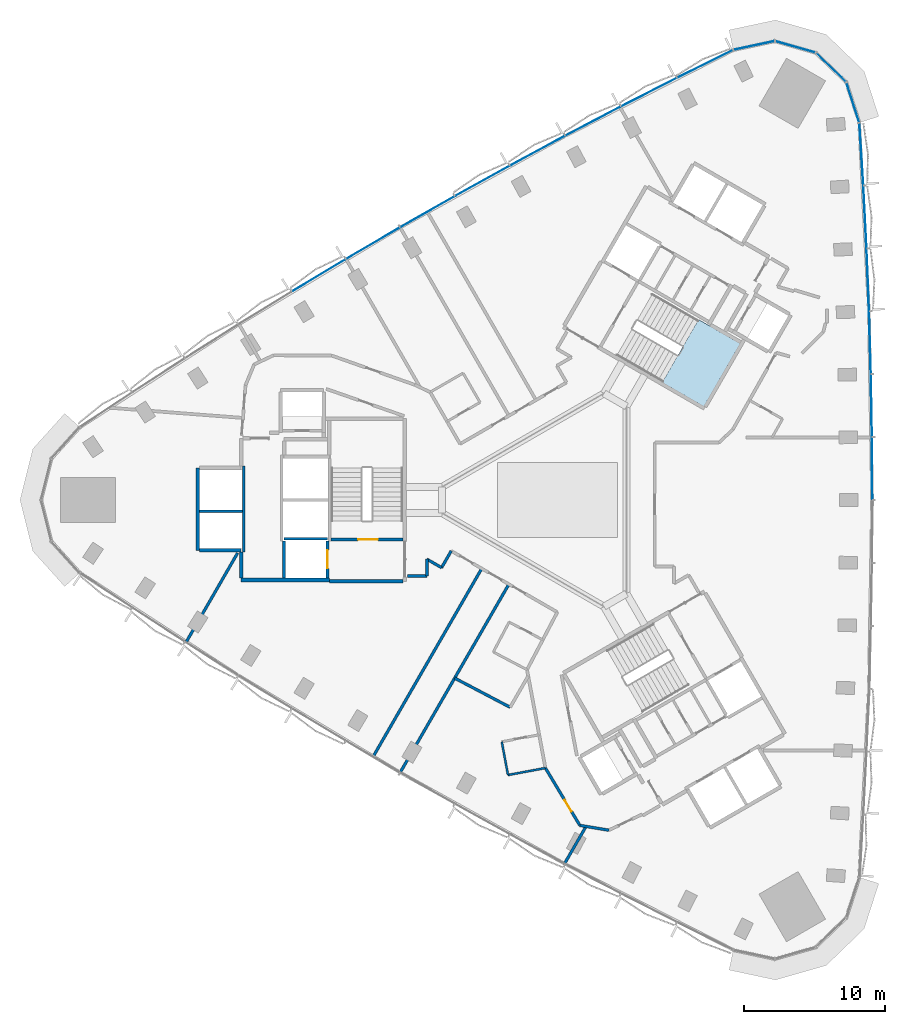
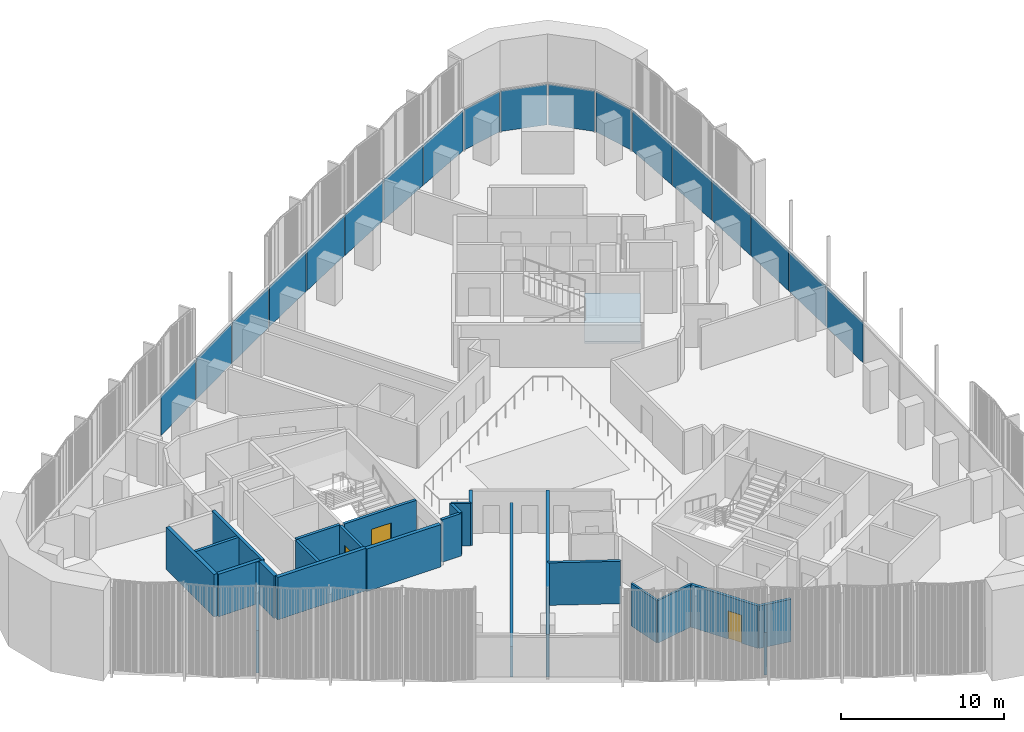
# One storey, part 7 of 15: 24 walls, 18 plates, 3 doors, 1 slab, 3 openings, 3 elements without a shape of their own.
"""IFC4 building model written with IfcOpenShell, lengths in metres."""

from ifc_helpers import new_model, si_unit, direction, frame, frame_2d, origin, origin_2d, place, context, subcontext, project, spatial, polyline, rectangle, outline, extrude, material, layer, layer_set, type_object, element, fill, aggregate, save


model = new_model("IFC4")

# Units and contexts
model_context = context("Model", 3, precision=1e-05, world=origin(), true_north=direction((0.0, 1.0)))
body_context = subcontext(model_context, "Body", "Model", "MODEL_VIEW")
ifc_project = project(units=[si_unit("LENGTHUNIT", "METRE"), si_unit("AREAUNIT", "SQUARE_METRE"), si_unit("VOLUMEUNIT", "CUBIC_METRE"), si_unit("PLANEANGLEUNIT", "RADIAN"), si_unit("MASSUNIT", "GRAM", prefix="KILO")], contexts=[model_context])

# Site, building, storey
site_placement = place(None, origin())
site = spatial("IfcSite", under=ifc_project, at=site_placement, CompositionType="ELEMENT")
building_placement = place(site_placement, origin())
building = spatial("IfcBuilding", under=site, at=building_placement, Name="Tamra Quay Hotel Tower", CompositionType="ELEMENT")
storey_placement = place(building_placement, frame((0.0, 0.0, 79.39990234375)))
storey = spatial("IfcBuildingStorey", under=building, at=storey_placement, Name="L18", CompositionType="ELEMENT", Elevation=79.39990234375)

# Stair, slab
ifc_material_1 = material(Name="Exit stair 2200 24 risers 150.0 going 342")
stair_type = type_object("IfcStairType", Name="Exit stair 2200 24 risers 150.0 going 342", PredefinedType="HALF_TURN_STAIR", material=ifc_material_1)
stair_placement = place(storey_placement, origin())
stair = element("IfcStair", 1, at=stair_placement, inside=storey, type_object=stair_type, Name="L18 Exit stair ST1", PredefinedType="HALF_TURN_STAIR")
ifc_material_2 = material(Name="Concrete M70", Category="concrete")
ifc_layer_1 = layer(ifc_material_2, 0.175048828125)
ifc_layer_set_1 = layer_set([ifc_layer_1], Name="Concrete M70 stair landing 180")
slab_type = type_object("IfcSlabType", Name="Concrete M70 stair landing 180", PredefinedType="LANDING", material=ifc_layer_set_1)
slab_placement = place(storey_placement, frame((0.0, 0.0, 1.625)))
slab = element("IfcSlab", 2, at=slab_placement, type_object=slab_type, Name="ST1 landing 1", PredefinedType="LANDING", context=body_context, shape_type="SweptSolid", body=[
    extrude(outline(polyline([(7.425048828125, 8.336669921875), (10.385009765625, 6.627685546875), (12.964599609375, 11.095458984375), (10.00439453125, 12.804443359375), (7.425048828125, 8.336669921875)])), origin(), (0.0, 0.0, 1.0), 0.175048828125),
])
aggregate(stair, [slab])

# Curtain wall, plates
ifc_material_3 = material(Name="Aluminium 6063 anodised dark grey", Category="aluminium")
curtain_wall_type_1 = type_object("IfcCurtainWallType", Name="CW1 CURTAIN WALL", PredefinedType="NOTDEFINED", material=ifc_material_3)
curtain_wall_1_placement = place(storey_placement, origin())
curtain_wall_1 = element("IfcCurtainWall", 3, at=curtain_wall_1_placement, inside=storey, type_object=curtain_wall_type_1, Name="CW1 east face L18", PredefinedType="NOTDEFINED")
ifc_material_4 = material(Name="Glass clear laminated low-iron", Category="glass")
ifc_layer_2 = layer(ifc_material_4, 0.033935546875)
ifc_layer_set_2 = layer_set([ifc_layer_2], Name="GLASS PANEL CW1 Z2")
plate_type_1 = type_object("IfcPlateType", Name="GLASS PANEL CW1 Z2", PredefinedType="CURTAIN_PANEL", material=ifc_layer_set_2)
plate_1_placement = place(storey_placement, frame((22.3203125, 2.23193359375, 0.0), z_axis=(0.0, 0.0, 1.0), x_axis=(-0.005712677225, 0.999983682526, 0.0)))
plate_1 = element("IfcPlate", 4, at=plate_1_placement, type_object=plate_type_1, Name="CW1 glass L18.E.7", PredefinedType="CURTAIN_PANEL", context=body_context, shape_type="SweptSolid", body=[
    extrude(rectangle(XDim=4.364013671875, YDim=0.033935546875, at=origin_2d()), origin(), (0.0, 0.0, 1.0), 3.034912109375),
])
plate_2_placement = place(storey_placement, frame((22.269287109375, 6.695556640625, 0.0), z_axis=(0.0, 0.0, 1.0), x_axis=(-0.017133900698, 0.999853203949, 0.0)))
plate_2 = element("IfcPlate", 5, at=plate_2_placement, type_object=plate_type_1, Name="CW1 glass L18.E.8", PredefinedType="CURTAIN_PANEL", context=body_context, shape_type="SweptSolid", body=[
    extrude(rectangle(XDim=4.364013671875, YDim=0.033935546875, at=origin_2d()), origin(), (0.0, 0.0, 1.0), 3.034912109375),
])
plate_3_placement = place(storey_placement, frame((22.167236328125, 11.158203125, 0.0), z_axis=(0.0, 0.0, 1.0), x_axis=(-0.028546238865, 0.999592473084, 0.0)))
plate_3 = element("IfcPlate", 6, at=plate_3_placement, type_object=plate_type_1, Name="CW1 glass L18.E.9", PredefinedType="CURTAIN_PANEL", context=body_context, shape_type="SweptSolid", body=[
    extrude(rectangle(XDim=4.364013671875, YDim=0.033935546875, at=origin_2d()), origin(), (0.0, 0.0, 1.0), 3.034912109375),
])
plate_4_placement = place(storey_placement, frame((22.014404296875, 15.61962890625, 0.0), z_axis=(0.0, 0.0, 1.0), x_axis=(-0.039943755239, 0.999201929751, 0.0)))
plate_4 = element("IfcPlate", 7, at=plate_4_placement, type_object=plate_type_1, Name="CW1 glass L18.E.10", PredefinedType="CURTAIN_PANEL", context=body_context, shape_type="SweptSolid", body=[
    extrude(rectangle(XDim=4.364013671875, YDim=0.033935546875, at=origin_2d()), origin(), (0.0, 0.0, 1.0), 3.034912109375),
])
plate_5_placement = place(storey_placement, frame((21.810791015625, 20.078857421875, 0.0), z_axis=(0.0, 0.0, 1.0), x_axis=(-0.051320550821, 0.998682232276, 0.0)))
plate_5 = element("IfcPlate", 8, at=plate_5_placement, type_object=plate_type_1, Name="CW1 glass L18.E.11", PredefinedType="CURTAIN_PANEL", context=body_context, shape_type="SweptSolid", body=[
    extrude(rectangle(XDim=4.364013671875, YDim=0.033935546875, at=origin_2d()), origin(), (0.0, 0.0, 1.0), 3.034912109375),
])
plate_6_placement = place(storey_placement, frame((21.556396484375, 24.53515625, 0.0), z_axis=(0.0, 0.0, 1.0), x_axis=(-0.062670105733, 0.998034296929, 0.0)))
plate_6 = element("IfcPlate", 9, at=plate_6_placement, type_object=plate_type_1, Name="CW1 glass L18.E.12", PredefinedType="CURTAIN_PANEL", context=body_context, shape_type="SweptSolid", body=[
    extrude(rectangle(XDim=4.363525390625, YDim=0.033935546875, at=origin_2d()), origin(), (0.0, 0.0, 1.0), 3.034912109375),
])
plate_7_placement = place(storey_placement, frame((20.9521484375, 28.197509765625, 0.0), z_axis=(0.0, 0.0, 1.0), x_axis=(-0.307790863622, 0.951454036867, 0.0)))
plate_7 = element("IfcPlate", 10, at=plate_7_placement, type_object=plate_type_1, Name="CW1 glass L18.E.13", PredefinedType="CURTAIN_PANEL", context=body_context, shape_type="SweptSolid", body=[
    extrude(rectangle(XDim=2.916748046875, YDim=0.033935546875, at=origin_2d()), origin(), (0.0, 0.0, 1.0), 3.034912109375),
])
plate_8_placement = place(storey_placement, frame((19.4033203125, 30.680908203125, 0.0), z_axis=(0.0, 0.0, 1.0), x_axis=(-0.71904127153, 0.694967373217, 0.0)))
plate_8 = element("IfcPlate", 11, at=plate_8_placement, type_object=plate_type_1, Name="CW1 glass L18.E.14", PredefinedType="CURTAIN_PANEL", context=body_context, shape_type="SweptSolid", body=[
    extrude(rectangle(XDim=2.916748046875, YDim=0.033935546875, at=origin_2d()), origin(), (0.0, 0.0, 1.0), 3.034912109375),
])
plate_9_placement = place(storey_placement, frame((16.868896484375, 32.144287109375, 0.0), z_axis=(0.0, 0.0, 1.0), x_axis=(-0.961380035772, 0.275224320906, 0.0)))
plate_9 = element("IfcPlate", 12, at=plate_9_placement, type_object=plate_type_1, Name="CW1 glass L18.E.15", PredefinedType="CURTAIN_PANEL", context=body_context, shape_type="SweptSolid", body=[
    extrude(rectangle(XDim=2.916748046875, YDim=0.033935546875, at=origin_2d()), origin(), (0.0, 0.0, 1.0), 3.034912109375),
])
plate_10_placement = place(storey_placement, frame((13.94384765625, 32.243896484375, 0.0), z_axis=(0.0, 0.0, 1.0), x_axis=(-0.977878798271, -0.209172311484, 0.0)))
plate_10 = element("IfcPlate", 13, at=plate_10_placement, type_object=plate_type_1, Name="CW1 glass L18.E.16", PredefinedType="CURTAIN_PANEL", context=body_context, shape_type="SweptSolid", body=[
    extrude(rectangle(XDim=2.916748046875, YDim=0.033935546875, at=origin_2d()), origin(), (0.0, 0.0, 1.0), 3.034912109375),
])
aggregate(curtain_wall_1, [plate_1, plate_2, plate_3, plate_4, plate_5, plate_6, plate_7, plate_8, plate_9, plate_10])

curtain_wall_type_2 = type_object("IfcCurtainWallType", Name="CW2 CURTAIN WALL", PredefinedType="NOTDEFINED", material=ifc_material_3)
curtain_wall_2_placement = place(storey_placement, origin())
curtain_wall_2 = element("IfcCurtainWall", 14, at=curtain_wall_2_placement, inside=storey, type_object=curtain_wall_type_2, Name="CW2 north-west face L18", PredefinedType="NOTDEFINED")
ifc_layer_3 = layer(ifc_material_4, 0.033935546875)
ifc_layer_set_3 = layer_set([ifc_layer_3], Name="GLASS PANEL CW2 Z2")
plate_type_2 = type_object("IfcPlateType", Name="GLASS PANEL CW2 Z2", PredefinedType="CURTAIN_PANEL", material=ifc_layer_set_3)
plate_11_placement = place(storey_placement, frame((10.469970703125, 30.935791015625, 0.0), z_axis=(0.0, 0.0, 1.0), x_axis=(-0.895658107856, -0.444743244842, 0.0)))
plate_11 = element("IfcPlate", 15, at=plate_11_placement, type_object=plate_type_2, Name="CW2 glass L18.NW.1", PredefinedType="CURTAIN_PANEL", context=body_context, shape_type="SweptSolid", body=[
    extrude(rectangle(XDim=4.363525390625, YDim=0.033935546875, at=origin_2d()), origin(), (0.0, 0.0, 1.0), 3.034912109375),
])
plate_12_placement = place(storey_placement, frame((6.4833984375, 28.927978515625, 0.0), z_axis=(0.0, 0.0, 1.0), x_axis=(-0.89054445887, -0.454896215391, 0.0)))
plate_12 = element("IfcPlate", 16, at=plate_12_placement, type_object=plate_type_2, Name="CW2 glass L18.NW.2", PredefinedType="CURTAIN_PANEL", context=body_context, shape_type="SweptSolid", body=[
    extrude(rectangle(XDim=4.364013671875, YDim=0.033935546875, at=origin_2d()), origin(), (0.0, 0.0, 1.0), 3.034912109375),
])
plate_13_placement = place(storey_placement, frame((2.519775390625, 26.874755859375, 0.0), z_axis=(0.0, 0.0, 1.0), x_axis=(-0.885306132294, -0.465008658116, 0.0)))
plate_13 = element("IfcPlate", 17, at=plate_13_placement, type_object=plate_type_2, Name="CW2 glass L18.NW.3", PredefinedType="CURTAIN_PANEL", context=body_context, shape_type="SweptSolid", body=[
    extrude(rectangle(XDim=4.364013671875, YDim=0.033935546875, at=origin_2d()), origin(), (0.0, 0.0, 1.0), 3.034912109375),
])
plate_14_placement = place(storey_placement, frame((-1.420166015625, 24.776611328125, 0.0), z_axis=(0.0, 0.0, 1.0), x_axis=(-0.879945594555, -0.475074468502, 0.0)))
plate_14 = element("IfcPlate", 18, at=plate_14_placement, type_object=plate_type_2, Name="CW2 glass L18.NW.4", PredefinedType="CURTAIN_PANEL", context=body_context, shape_type="SweptSolid", body=[
    extrude(rectangle(XDim=4.364013671875, YDim=0.033935546875, at=origin_2d()), origin(), (0.0, 0.0, 1.0), 3.034912109375),
])
plate_15_placement = place(storey_placement, frame((-5.336181640625, 22.633544921875, 0.0), z_axis=(0.0, 0.0, 1.0), x_axis=(-0.874465225024, -0.485088208704, 0.0)))
plate_15 = element("IfcPlate", 19, at=plate_15_placement, type_object=plate_type_2, Name="CW2 glass L18.NW.5", PredefinedType="CURTAIN_PANEL", context=body_context, shape_type="SweptSolid", body=[
    extrude(rectangle(XDim=4.364013671875, YDim=0.033935546875, at=origin_2d()), origin(), (0.0, 0.0, 1.0), 3.034912109375),
])
plate_16_placement = place(storey_placement, frame((-9.227294921875, 20.44580078125, 0.0), z_axis=(0.0, 0.0, 1.0), x_axis=(-0.86886761105, -0.495044517663, 0.0)))
plate_16 = element("IfcPlate", 20, at=plate_16_placement, type_object=plate_type_2, Name="CW2 glass L18.NW.6", PredefinedType="CURTAIN_PANEL", context=body_context, shape_type="SweptSolid", body=[
    extrude(rectangle(XDim=4.364013671875, YDim=0.033935546875, at=origin_2d()), origin(), (0.0, 0.0, 1.0), 3.034912109375),
])
plate_17_placement = place(storey_placement, frame((-13.093017578125, 18.2138671875, 0.0), z_axis=(0.0, 0.0, 1.0), x_axis=(-0.863154933825, -0.504939164863, 0.0)))
plate_17 = element("IfcPlate", 21, at=plate_17_placement, type_object=plate_type_2, Name="CW2 glass L18.NW.7", PredefinedType="CURTAIN_PANEL", context=body_context, shape_type="SweptSolid", body=[
    extrude(rectangle(XDim=4.364013671875, YDim=0.033935546875, at=origin_2d()), origin(), (0.0, 0.0, 1.0), 3.034912109375),
])
plate_18_placement = place(storey_placement, frame((-16.93310546875, 15.93798828125, 0.0), z_axis=(0.0, 0.0, 1.0), x_axis=(-0.857331324326, -0.514764995245, 0.0)))
plate_18 = element("IfcPlate", 22, at=plate_18_placement, type_object=plate_type_2, Name="CW2 glass L18.NW.8", PredefinedType="CURTAIN_PANEL", context=body_context, shape_type="SweptSolid", body=[
    extrude(rectangle(XDim=4.364013671875, YDim=0.033935546875, at=origin_2d()), origin(), (0.0, 0.0, 1.0), 3.034912109375),
])
aggregate(curtain_wall_2, [plate_11, plate_12, plate_13, plate_14, plate_15, plate_16, plate_17, plate_18])

# Wall
ifc_layer_4 = layer(ifc_material_2, 0.199951171875)
ifc_layer_set_4 = layer_set([ifc_layer_4], Name="Concrete M70 core wall 200")
wall_type_1 = type_object("IfcWallType", Name="Concrete M70 core wall 200", PredefinedType="SHEAR", material=ifc_layer_set_4)
wall_1_placement = place(storey_placement, frame((-22.26220703125, 2.400146484375, 0.0), z_axis=(0.0, 0.0, 1.0), x_axis=(0.0, -1.0, 0.0)))
element("IfcWall", 23, at=wall_1_placement, inside=storey, type_object=wall_type_1, Name="CW2", PredefinedType="SHEAR", context=body_context, shape_type="SweptSolid", body=[
    extrude(rectangle(XDim=6.100341796875, YDim=0.199951171875, at=frame_2d((3.05029296875, 0.0))), origin(), (0.0, 0.0, 1.0), 3.175048828125),
])

# Wall, opening, door
wall_2_placement = place(storey_placement, frame((-10.96337890625, -2.800048828125, 0.0), z_axis=(0.0, 0.0, 1.0), x_axis=(-1.0, 0.0, 0.0)))
wall_2 = element("IfcWall", 24, at=wall_2_placement, inside=storey, type_object=wall_type_1, Name="CW2", PredefinedType="SHEAR", context=body_context, shape_type="SweptSolid", body=[
    extrude(rectangle(XDim=5.097900390625, YDim=0.199951171875, at=frame_2d((2.548828125, 0.0))), origin(), (0.0, 0.0, 1.0), 3.175048828125),
])
opening_1_placement = place(wall_2_placement, frame((1.77392578125, 0.0, 0.0)))
opening_1 = element("IfcOpeningElement", 25, at=opening_1_placement, cuts=wall_2, Name="Opening FD2", PredefinedType="OPENING", context=body_context, shape_type="SweptSolid", body=[
    extrude(rectangle(XDim=1.39990234375, YDim=2.10009765625, at=frame_2d((0.699951171875, 1.050048828125))), frame((0.0, 0.10986328125, 0.0), z_axis=(0.0, -1.0, 0.0), x_axis=(1.0, 0.0, 0.0)), (0.0, 0.0, 1.0), 0.219970703125),
])
ifc_material_5 = material(Name="Core door FD2 1400x2100 RH")
door_type_1 = type_object("IfcDoorType", Name="Core door FD2 1400x2100 RH", OperationType="NOTDEFINED", PredefinedType="DOOR", material=ifc_material_5)
door_1_placement = place(opening_1_placement, origin())
door_1 = element("IfcDoor", 26, at=door_1_placement, inside=storey, type_object=door_type_1, Name="FD2", OperationType="SINGLE_SWING_RIGHT", OverallHeight=2.10009765625, OverallWidth=1.39990234375, PredefinedType="DOOR", context=body_context, shape_type="SweptSolid", body=[
    extrude(rectangle(XDim=1.39990234375, YDim=2.10009765625, at=frame_2d((0.699951171875, 1.050048828125))), frame((0.0, 0.02490234375, 0.0), z_axis=(0.0, -1.0, 0.0), x_axis=(1.0, 0.0, 0.0)), (0.0, 0.0, 1.0), 0.050048828125),
])
fill(opening_1, door_1)

# Walls
wall_3_placement = place(storey_placement, frame((-22.36328125, -0.800048828125, 0.0), z_axis=(0.0, 0.0, 1.0), x_axis=(-1.0, 0.0, 0.0)))
element("IfcWall", 27, at=wall_3_placement, inside=storey, type_object=wall_type_1, Name="CW2", PredefinedType="SHEAR", context=body_context, shape_type="SweptSolid", body=[
    extrude(rectangle(XDim=3.048095703125, YDim=0.199951171875, at=frame_2d((1.52392578125, 0.0))), origin(), (0.0, 0.0, 1.0), 3.175048828125),
])
wall_4_placement = place(storey_placement, frame((-19.412353515625, -2.75, 0.0), z_axis=(0.0, 0.0, 1.0), x_axis=(1.0, 0.0, 0.0)))
element("IfcWall", 28, at=wall_4_placement, inside=storey, type_object=wall_type_1, Name="CW2", PredefinedType="SHEAR", context=body_context, shape_type="SweptSolid", body=[
    extrude(rectangle(XDim=3.10009765625, YDim=0.199951171875, at=frame_2d((1.550048828125, 0.0))), origin(), (0.0, 0.0, 1.0), 3.175048828125),
])

# Wall, opening, door
wall_5_placement = place(storey_placement, frame((-16.312255859375, -2.898193359375, 0.0), z_axis=(0.0, 0.0, 1.0), x_axis=(0.0, -1.0, 0.0)))
wall_5 = element("IfcWall", 29, at=wall_5_placement, inside=storey, type_object=wall_type_1, Name="CW2", PredefinedType="SHEAR", context=body_context, shape_type="SweptSolid", body=[
    extrude(rectangle(XDim=2.65087890625, YDim=0.199951171875, at=frame_2d((1.325439453125, 0.0))), origin(), (0.0, 0.0, 1.0), 3.175048828125),
])
opening_2_placement = place(wall_5_placement, frame((0.65185546875, 0.0, 0.0)))
opening_2 = element("IfcOpeningElement", 30, at=opening_2_placement, cuts=wall_5, Name="Opening LD", PredefinedType="OPENING", context=body_context, shape_type="SweptSolid", body=[
    extrude(rectangle(XDim=1.300048828125, YDim=2.10009765625, at=frame_2d((0.64990234375, 1.050048828125))), frame((0.0, 0.10986328125, 0.0), z_axis=(0.0, -1.0, 0.0), x_axis=(1.0, 0.0, 0.0)), (0.0, 0.0, 1.0), 0.219970703125),
])
ifc_material_6 = material(Name="Landing door LD 1300 sliding to right")
door_type_2 = type_object("IfcDoorType", Name="Landing door LD 1300 sliding to right", OperationType="NOTDEFINED", PredefinedType="DOOR", material=ifc_material_6)
door_2_placement = place(opening_2_placement, origin())
door_2 = element("IfcDoor", 31, at=door_2_placement, inside=storey, type_object=door_type_2, Name="LD", OperationType="SLIDING_TO_RIGHT", OverallHeight=2.10009765625, OverallWidth=1.300048828125, PredefinedType="DOOR", context=body_context, shape_type="SweptSolid", body=[
    extrude(rectangle(XDim=1.300048828125, YDim=2.10009765625, at=frame_2d((0.64990234375, 1.050048828125))), frame((0.0, 0.02490234375, 0.0), z_axis=(0.0, -1.0, 0.0), x_axis=(1.0, 0.0, 0.0)), (0.0, 0.0, 1.0), 0.050048828125),
])
fill(opening_2, door_2)

# Walls
wall_6_placement = place(storey_placement, frame((-19.412353515625, -5.549072265625, 0.0), z_axis=(0.0, 0.0, 1.0), x_axis=(0.0, 1.0, 0.0)))
element("IfcWall", 32, at=wall_6_placement, inside=storey, type_object=wall_type_1, Name="CW2", PredefinedType="SHEAR", context=body_context, shape_type="SweptSolid", body=[
    extrude(rectangle(XDim=2.65087890625, YDim=0.199951171875, at=frame_2d((1.325439453125, 0.0))), origin(), (0.0, 0.0, 1.0), 3.175048828125),
])
ifc_layer_5 = layer(ifc_material_2, 0.25)
ifc_layer_set_5 = layer_set([ifc_layer_5], Name="Concrete M70 core wall 250")
wall_type_2 = type_object("IfcWallType", Name="Concrete M70 core wall 250", PredefinedType="SHEAR", material=ifc_layer_set_5)
wall_7_placement = place(storey_placement, frame((-16.187255859375, -5.675048828125, 0.0), z_axis=(0.0, 0.0, 1.0), x_axis=(-1.0, 0.0, 0.0)))
element("IfcWall", 33, at=wall_7_placement, inside=storey, type_object=wall_type_2, Name="CW1", PredefinedType="SHEAR", context=body_context, shape_type="SweptSolid", body=[
    extrude(rectangle(XDim=6.25, YDim=0.25, at=frame_2d((3.125, 0.0))), origin(), (0.0, 0.0, 1.0), 3.175048828125),
])
wall_8_placement = place(storey_placement, frame((-25.537353515625, -3.574951171875, 0.0), z_axis=(0.0, 0.0, 1.0), x_axis=(0.0, 1.0, 0.0)))
element("IfcWall", 34, at=wall_8_placement, inside=storey, type_object=wall_type_2, Name="CW1", PredefinedType="SHEAR", context=body_context, shape_type="SweptSolid", body=[
    extrude(rectangle(XDim=5.849853515625, YDim=0.25, at=frame_2d((2.9248046875, 0.0))), origin(), (0.0, 0.0, 1.0), 3.175048828125),
])
wall_9_placement = place(storey_placement, frame((-10.962646484375, -5.77490234375, 0.0), z_axis=(0.0, 0.0, 1.0), x_axis=(-1.0, 0.0, 0.0)))
element("IfcWall", 35, at=wall_9_placement, inside=storey, type_object=wall_type_2, Name="CW1", PredefinedType="SHEAR", context=body_context, shape_type="SweptSolid", body=[
    extrude(rectangle(XDim=5.224609375, YDim=0.25, at=frame_2d((2.6123046875, 0.0))), origin(), (0.0, 0.0, 1.0), 3.175048828125),
])
wall_10_placement = place(storey_placement, frame((-22.437255859375, -3.574951171875, 0.0), z_axis=(0.0, 0.0, 1.0), x_axis=(-1.0, 0.0, 0.0)))
element("IfcWall", 36, at=wall_10_placement, inside=storey, type_object=wall_type_2, Name="CW1", PredefinedType="SHEAR", context=body_context, shape_type="SweptSolid", body=[
    extrude(rectangle(XDim=2.974609375, YDim=0.25, at=frame_2d((1.4873046875, 0.0))), origin(), (0.0, 0.0, 1.0), 3.175048828125),
])
wall_11_placement = place(storey_placement, frame((-22.437255859375, -5.549560546875, 0.0), z_axis=(0.0, 0.0, 1.0), x_axis=(0.0, 1.0, 0.0)))
element("IfcWall", 37, at=wall_11_placement, inside=storey, type_object=wall_type_2, Name="CW1", PredefinedType="SHEAR", context=body_context, shape_type="SweptSolid", body=[
    extrude(rectangle(XDim=1.84912109375, YDim=0.25, at=frame_2d((0.924560546875, 0.0))), origin(), (0.0, 0.0, 1.0), 3.175048828125),
])
ifc_material_7 = material(Name="Partition corridor wall")
ifc_layer_6 = layer(ifc_material_7, 0.199951171875)
ifc_layer_set_6 = layer_set([ifc_layer_6], Name="Partition corridor wall")
wall_type_3 = type_object("IfcWallType", Name="Partition corridor wall", PredefinedType="PARTITIONING", material=ifc_layer_set_6)
wall_12_placement = place(storey_placement, frame((-10.65234375, -5.39990234375, 0.0), z_axis=(0.0, 0.0, 1.0), x_axis=(1.0, 0.0, 0.0)))
element("IfcWall", 38, at=wall_12_placement, inside=storey, type_object=wall_type_3, Name="W-C", PredefinedType="PARTITIONING", context=body_context, shape_type="SweptSolid", body=[
    extrude(rectangle(XDim=1.390380859375, YDim=0.199951171875, at=frame_2d((0.6953125, 0.0))), origin(), (0.0, 0.0, 1.0), 3.175048828125),
])
for number, where, z_axis, x_axis, name in (
    (39, (-9.261962890625, -5.39990234375, 0.0), (0.0, 0.0, 1.0), (0.0, 1.0, 0.0), "W-C"),
    (40, (-9.261962890625, -4.199951171875, 0.0), (0.0, 0.0, 1.0), (0.865955154139, -0.50012165622, 0.0), "W-C"),
):
    element("IfcWall", number, at=place(storey_placement, frame(where, z_axis=z_axis, x_axis=x_axis)), inside=storey, type_object=wall_type_3, Name=name, PredefinedType="PARTITIONING", context=body_context, shape_type="SweptSolid", body=[
        extrude(rectangle(XDim=1.199951171875, YDim=0.199951171875, at=frame_2d((0.60009765625, 0.0))), origin(), (0.0, 0.0, 1.0), 3.175048828125),
    ])
wall_13_placement = place(storey_placement, frame((-8.222900390625, -4.800048828125, 0.0), z_axis=(0.0, 0.0, 1.0), x_axis=(0.499804837697, 0.866138051476, 0.0)))
element("IfcWall", 41, at=wall_13_placement, inside=storey, type_object=wall_type_3, Name="W-C", PredefinedType="PARTITIONING", context=body_context, shape_type="SweptSolid", body=[
    extrude(rectangle(XDim=1.3681640625, YDim=0.199951171875, at=frame_2d((0.68408203125, 0.0))), origin(), (0.0, 0.0, 1.0), 3.175048828125),
])

# Wall, opening, door
wall_14_placement = place(storey_placement, frame((-0.85791015625, -19.01708984375, 0.0), z_axis=(0.0, 0.0, 1.0), x_axis=(0.514586543775, -0.857438446167, 0.0)))
wall_14 = element("IfcWall", 42, at=wall_14_placement, inside=storey, type_object=wall_type_3, Name="W-C", PredefinedType="PARTITIONING", context=body_context, shape_type="SweptSolid", body=[
    extrude(rectangle(XDim=4.745361328125, YDim=0.199951171875, at=frame_2d((2.37255859375, 0.0))), origin(), (0.0, 0.0, 1.0), 3.175048828125),
])
opening_3_placement = place(wall_14_placement, frame((2.64990234375, 0.0, 0.0)))
opening_3 = element("IfcOpeningElement", 43, at=opening_3_placement, cuts=wall_14, Name="Opening L18-D017", PredefinedType="OPENING", context=body_context, shape_type="SweptSolid", body=[
    extrude(rectangle(XDim=0.949951171875, YDim=2.10009765625, at=frame_2d((0.47509765625, 1.050048828125))), frame((0.0, 0.10986328125, 0.0), z_axis=(0.0, -1.0, 0.0), x_axis=(1.0, 0.0, 0.0)), (0.0, 0.0, 1.0), 0.219970703125),
])
ifc_material_8 = material(Name="Door guest room 950x2100")
door_type_3 = type_object("IfcDoorType", Name="Door guest room 950x2100", OperationType="NOTDEFINED", PredefinedType="DOOR", material=ifc_material_8)
door_3_placement = place(opening_3_placement, frame((0.949951171875, 0.0, 0.0), z_axis=(0.0, 0.0, 1.0), x_axis=(-1.0, 0.0, 0.0)))
door_3 = element("IfcDoor", 44, at=door_3_placement, inside=storey, type_object=door_type_3, Name="L18-D017", OperationType="SINGLE_SWING_LEFT", OverallHeight=2.10009765625, OverallWidth=0.949951171875, PredefinedType="DOOR", context=body_context, shape_type="SweptSolid", body=[
    extrude(rectangle(XDim=0.949951171875, YDim=2.10009765625, at=frame_2d((0.47509765625, 1.050048828125))), frame((0.0, 0.02490234375, 0.0), z_axis=(0.0, -1.0, 0.0), x_axis=(1.0, 0.0, 0.0)), (0.0, 0.0, 1.0), 0.050048828125),
])
fill(opening_3, door_3)

# Walls
wall_15_placement = place(storey_placement, frame((1.583984375, -23.0859375, 0.0), z_axis=(0.0, 0.0, 1.0), x_axis=(0.986516952697, -0.163659103145, 0.0)))
element("IfcWall", 45, at=wall_15_placement, inside=storey, type_object=wall_type_3, Name="W-C", PredefinedType="PARTITIONING", context=body_context, shape_type="SweptSolid", body=[
    extrude(rectangle(XDim=2.0869140625, YDim=0.199951171875, at=frame_2d((1.04345703125, 0.0))), origin(), (0.0, 0.0, 1.0), 3.175048828125),
])
ifc_material_9 = material(Name="Partition en-suite wall")
ifc_layer_7 = layer(ifc_material_9, 0.14990234375)
ifc_layer_set_7 = layer_set([ifc_layer_7], Name="Partition en-suite wall")
wall_type_4 = type_object("IfcWallType", Name="Partition en-suite wall", PredefinedType="PARTITIONING", material=ifc_layer_set_7)
wall_16_placement = place(storey_placement, frame((-3.952880859375, -17.154052734375, 0.0), z_axis=(0.0, 0.0, 1.0), x_axis=(0.184030127449, -0.982920603198, 0.0)))
element("IfcWall", 46, at=wall_16_placement, inside=storey, type_object=wall_type_4, Name="W-E", PredefinedType="PARTITIONING", context=body_context, shape_type="SweptSolid", body=[
    extrude(rectangle(XDim=2.39599609375, YDim=0.14990234375, at=frame_2d((1.197998046875, 0.0))), origin(), (0.0, 0.0, 1.0), 3.175048828125),
])
wall_17_placement = place(storey_placement, frame((-3.510009765625, -19.510986328125, 0.0), z_axis=(0.0, 0.0, 1.0), x_axis=(0.982950973509, 0.183867842969, 0.0)))
element("IfcWall", 47, at=wall_17_placement, inside=storey, type_object=wall_type_4, Name="W-E", PredefinedType="PARTITIONING", context=body_context, shape_type="SweptSolid", body=[
    extrude(rectangle(XDim=2.697998046875, YDim=0.14990234375, at=frame_2d((1.34912109375, 0.0))), origin(), (0.0, 0.0, 1.0), 3.175048828125),
])
ifc_material_10 = material(Name="Partition party wall")
ifc_layer_8 = layer(ifc_material_10, 0.199951171875)
ifc_layer_set_8 = layer_set([ifc_layer_8], Name="Partition party wall")
wall_type_5 = type_object("IfcWallType", Name="Partition party wall", PredefinedType="PARTITIONING", material=ifc_layer_set_8)
wall_18_placement = place(storey_placement, frame((-26.353515625, -10.099609375, 0.0), z_axis=(0.0, 0.0, 1.0), x_axis=(0.499973624332, 0.866040631248, 0.0)))
element("IfcWall", 48, at=wall_18_placement, inside=storey, type_object=wall_type_5, Name="W-P", PredefinedType="PARTITIONING", context=body_context, shape_type="SweptSolid", body=[
    extrude(rectangle(XDim=7.3203125, YDim=0.199951171875, at=frame_2d((3.66015625, 0.0))), origin(), (0.0, 0.0, 1.0), 3.175048828125),
])
wall_19_placement = place(storey_placement, frame((-13.08203125, -18.214599609375, 0.0), z_axis=(0.0, 0.0, 1.0), x_axis=(0.499954600016, 0.866051613891, 0.0)))
element("IfcWall", 49, at=wall_19_placement, inside=storey, type_object=wall_type_5, Name="W-P", PredefinedType="PARTITIONING", context=body_context, shape_type="SweptSolid", body=[
    extrude(rectangle(XDim=15.41552734375, YDim=0.199951171875, at=frame_2d((7.707763671875, 0.0))), origin(), (0.0, 0.0, 1.0), 2.275146484375),
])
wall_20_placement = place(storey_placement, frame((-11.1630859375, -19.337158203125, 0.0), z_axis=(0.0, 0.0, 1.0), x_axis=(0.499956700234, 0.866050401473, 0.0)))
element("IfcWall", 50, at=wall_20_placement, inside=storey, type_object=wall_type_5, Name="W-P", PredefinedType="PARTITIONING", context=body_context, shape_type="SweptSolid", body=[
    extrude(rectangle(XDim=15.427490234375, YDim=0.199951171875, at=frame_2d((7.7138671875, 0.0))), origin(), (0.0, 0.0, 1.0), 3.175048828125),
])
wall_21_placement = place(storey_placement, frame((-7.2958984375, -12.635986328125, 0.0), z_axis=(0.0, 0.0, 1.0), x_axis=(0.885017012747, -0.465558682819, 0.0)))
element("IfcWall", 51, at=wall_21_placement, inside=storey, type_object=wall_type_5, Name="W-P", PredefinedType="PARTITIONING", context=body_context, shape_type="SweptSolid", body=[
    extrude(rectangle(XDim=4.448486328125, YDim=0.199951171875, at=frame_2d((2.22412109375, 0.0))), origin(), (0.0, 0.0, 1.0), 3.175048828125),
])
wall_22_placement = place(storey_placement, frame((0.49560546875, -25.80517578125, 0.0), z_axis=(0.0, 0.0, 1.0), x_axis=(0.500125851006, 0.865952731479, 0.0)))
element("IfcWall", 52, at=wall_22_placement, inside=storey, type_object=wall_type_5, Name="W-P", PredefinedType="PARTITIONING", context=body_context, shape_type="SweptSolid", body=[
    extrude(rectangle(XDim=3.055908203125, YDim=0.199951171875, at=frame_2d((1.52783203125, 0.0))), origin(), (0.0, 0.0, 1.0), 3.175048828125),
])

save(model, "model.ifc")
